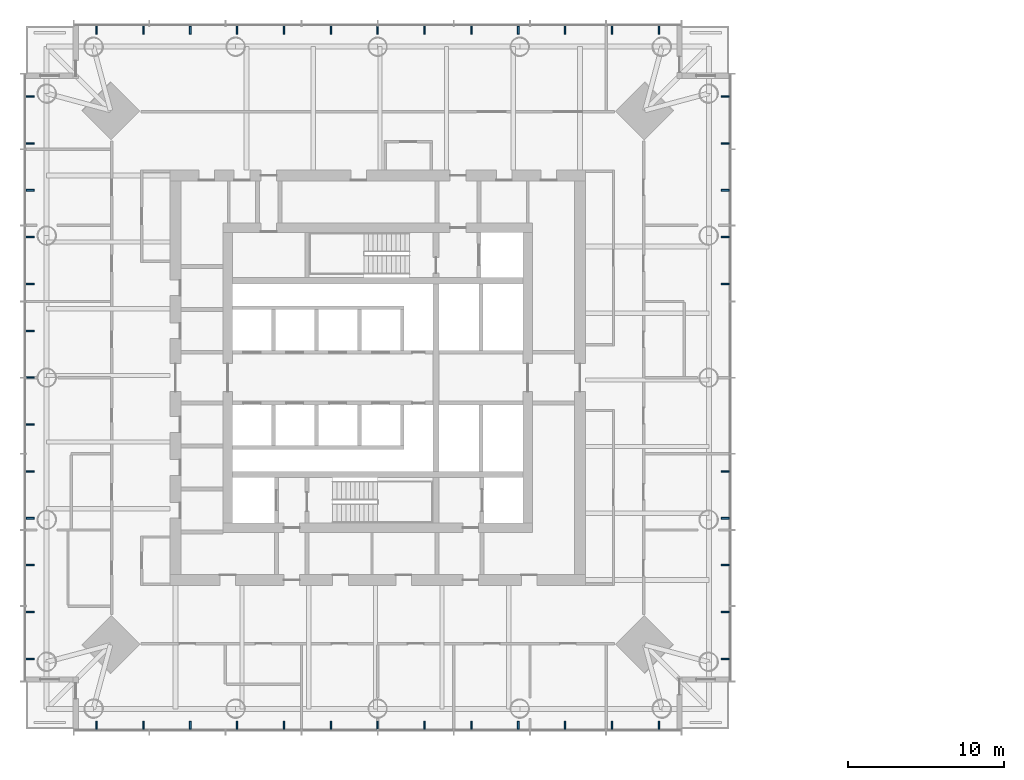
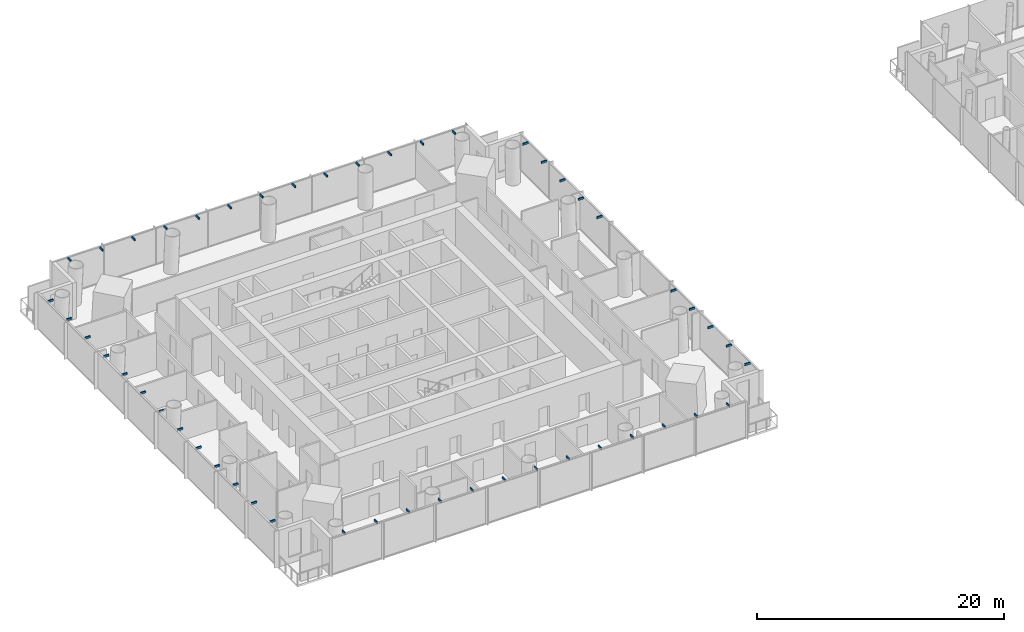
# One storey, part 18 of 20: 49 discrete accessories.
"""IFC4 building model written with IfcOpenShell, lengths in metres."""

from ifc_helpers import new_model, si_unit, direction, frame, origin, origin_2d, place, context, subcontext, project, spatial, rectangle, extrude, material, type_object, element, save


model = new_model("IFC4")

# Units and contexts
model_context = context("Model", 3, precision=1e-05, world=origin(), true_north=direction((0.0, 1.0)))
body_context = subcontext(model_context, "Body", "Model", "MODEL_VIEW")
ifc_project = project(units=[si_unit("LENGTHUNIT", "METRE"), si_unit("AREAUNIT", "SQUARE_METRE"), si_unit("VOLUMEUNIT", "CUBIC_METRE"), si_unit("PLANEANGLEUNIT", "RADIAN"), si_unit("MASSUNIT", "GRAM", prefix="KILO")], contexts=[model_context])

# Site, building, storey
site_placement = place(None, origin())
site = spatial("IfcSite", under=ifc_project, at=site_placement, CompositionType="ELEMENT")
building_placement = place(site_placement, origin())
building = spatial("IfcBuilding", under=site, at=building_placement, Name="Ostroluk Exchange", CompositionType="ELEMENT")
storey_placement = place(building_placement, frame((0.0, 0.0, 108.39990234375)))
storey = spatial("IfcBuildingStorey", under=building, at=storey_placement, Name="L27", CompositionType="ELEMENT", Elevation=108.39990234375)

# Discrete accessories
ifc_material = material(Name="Steel S355", Category="steel")
discrete_accessory_type = type_object("IfcDiscreteAccessoryType", Name="Maintenance roof bracket", PredefinedType="BRACKET", material=ifc_material)
for number, where, z_axis, x_axis, name in (
    (1, (27.0, 23.75, 3.4501953125), (0.0, 0.0, 1.0), (1.0, 0.0, 0.0), "Maintenance roof bracket L28 south 1"),
    (2, (30.0, 23.75, 3.4501953125), (0.0, 0.0, 1.0), (1.0, 0.0, 0.0), "Maintenance roof bracket L28 south 2"),
    (3, (33.0, 23.75, 3.4501953125), (0.0, 0.0, 1.0), (1.0, 0.0, 0.0), "Maintenance roof bracket L28 south 3"),
    (4, (36.0, 23.75, 3.4501953125), (0.0, 0.0, 1.0), (1.0, 0.0, 0.0), "Maintenance roof bracket L28 south 4"),
    (5, (39.0, 23.75, 3.4501953125), (0.0, 0.0, 1.0), (1.0, 0.0, 0.0), "Maintenance roof bracket L28 south 5"),
    (6, (42.0, 23.75, 3.4501953125), (0.0, 0.0, 1.0), (1.0, 0.0, 0.0), "Maintenance roof bracket L28 south 6"),
    (7, (45.0, 23.75, 3.4501953125), (0.0, 0.0, 1.0), (1.0, 0.0, 0.0), "Maintenance roof bracket L28 south 7"),
    (8, (48.0, 23.75, 3.4501953125), (0.0, 0.0, 1.0), (1.0, 0.0, 0.0), "Maintenance roof bracket L28 south 8"),
    (9, (51.0, 23.75, 3.4501953125), (0.0, 0.0, 1.0), (1.0, 0.0, 0.0), "Maintenance roof bracket L28 south 9"),
    (10, (54.0, 23.75, 3.4501953125), (0.0, 0.0, 1.0), (1.0, 0.0, 0.0), "Maintenance roof bracket L28 south 10"),
    (11, (57.0, 23.75, 3.4501953125), (0.0, 0.0, 1.0), (1.0, 0.0, 0.0), "Maintenance roof bracket L28 south 11"),
    (12, (60.0, 23.75, 3.4501953125), (0.0, 0.0, 1.0), (1.0, 0.0, 0.0), "Maintenance roof bracket L28 south 12"),
    (13, (63.0, 23.75, 3.4501953125), (0.0, 0.0, 1.0), (1.0, 0.0, 0.0), "Maintenance roof bracket L28 south 13"),
):
    element("IfcDiscreteAccessory", number, at=place(storey_placement, frame(where, z_axis=z_axis, x_axis=x_axis)), inside=storey, type_object=discrete_accessory_type, Name=name, PredefinedType="BRACKET", context=body_context, shape_type="SweptSolid", body=[
        extrude(rectangle(XDim=0.10009765625, YDim=0.5, at=origin_2d()), origin(), (0.0, 0.0, 1.0), 0.199951171875),
    ])
for number, where, z_axis, x_axis, name in (
    (14, (67.25, 28.0, 3.4501953125), (0.0, 0.0, 1.0), (1.0, 0.0, 0.0), "Maintenance roof bracket L28 east 1"),
    (15, (67.25, 31.0, 3.4501953125), (0.0, 0.0, 1.0), (1.0, 0.0, 0.0), "Maintenance roof bracket L28 east 2"),
    (16, (67.25, 34.0, 3.4501953125), (0.0, 0.0, 1.0), (1.0, 0.0, 0.0), "Maintenance roof bracket L28 east 3"),
    (17, (67.25, 37.0, 3.4501953125), (0.0, 0.0, 1.0), (1.0, 0.0, 0.0), "Maintenance roof bracket L28 east 4"),
    (18, (67.25, 40.0, 3.4501953125), (0.0, 0.0, 1.0), (1.0, 0.0, 0.0), "Maintenance roof bracket L28 east 5"),
    (19, (67.25, 52.0, 3.4501953125), (0.0, 0.0, 1.0), (1.0, 0.0, 0.0), "Maintenance roof bracket L28 east 9"),
    (20, (67.25, 55.0, 3.4501953125), (0.0, 0.0, 1.0), (1.0, 0.0, 0.0), "Maintenance roof bracket L28 east 10"),
    (21, (67.25, 58.0, 3.4501953125), (0.0, 0.0, 1.0), (1.0, 0.0, 0.0), "Maintenance roof bracket L28 east 11"),
    (22, (67.25, 61.0, 3.4501953125), (0.0, 0.0, 1.0), (1.0, 0.0, 0.0), "Maintenance roof bracket L28 east 12"),
    (23, (67.25, 64.0, 3.4501953125), (0.0, 0.0, 1.0), (1.0, 0.0, 0.0), "Maintenance roof bracket L28 east 13"),
):
    element("IfcDiscreteAccessory", number, at=place(storey_placement, frame(where, z_axis=z_axis, x_axis=x_axis)), inside=storey, type_object=discrete_accessory_type, Name=name, PredefinedType="BRACKET", context=body_context, shape_type="SweptSolid", body=[
        extrude(rectangle(XDim=0.5, YDim=0.10009765625, at=origin_2d()), origin(), (0.0, 0.0, 1.0), 0.199951171875),
    ])
for number, where, z_axis, x_axis, name in (
    (24, (27.0, 68.25, 3.4501953125), (0.0, 0.0, 1.0), (1.0, 0.0, 0.0), "Maintenance roof bracket L28 north 1"),
    (25, (30.0, 68.25, 3.4501953125), (0.0, 0.0, 1.0), (1.0, 0.0, 0.0), "Maintenance roof bracket L28 north 2"),
    (26, (33.0, 68.25, 3.4501953125), (0.0, 0.0, 1.0), (1.0, 0.0, 0.0), "Maintenance roof bracket L28 north 3"),
    (27, (36.0, 68.25, 3.4501953125), (0.0, 0.0, 1.0), (1.0, 0.0, 0.0), "Maintenance roof bracket L28 north 4"),
    (28, (39.0, 68.25, 3.4501953125), (0.0, 0.0, 1.0), (1.0, 0.0, 0.0), "Maintenance roof bracket L28 north 5"),
    (29, (42.0, 68.25, 3.4501953125), (0.0, 0.0, 1.0), (1.0, 0.0, 0.0), "Maintenance roof bracket L28 north 6"),
    (30, (45.0, 68.25, 3.4501953125), (0.0, 0.0, 1.0), (1.0, 0.0, 0.0), "Maintenance roof bracket L28 north 7"),
    (31, (48.0, 68.25, 3.4501953125), (0.0, 0.0, 1.0), (1.0, 0.0, 0.0), "Maintenance roof bracket L28 north 8"),
    (32, (51.0, 68.25, 3.4501953125), (0.0, 0.0, 1.0), (1.0, 0.0, 0.0), "Maintenance roof bracket L28 north 9"),
    (33, (54.0, 68.25, 3.4501953125), (0.0, 0.0, 1.0), (1.0, 0.0, 0.0), "Maintenance roof bracket L28 north 10"),
    (34, (57.0, 68.25, 3.4501953125), (0.0, 0.0, 1.0), (1.0, 0.0, 0.0), "Maintenance roof bracket L28 north 11"),
    (35, (60.0, 68.25, 3.4501953125), (0.0, 0.0, 1.0), (1.0, 0.0, 0.0), "Maintenance roof bracket L28 north 12"),
    (36, (63.0, 68.25, 3.4501953125), (0.0, 0.0, 1.0), (1.0, 0.0, 0.0), "Maintenance roof bracket L28 north 13"),
):
    element("IfcDiscreteAccessory", number, at=place(storey_placement, frame(where, z_axis=z_axis, x_axis=x_axis)), inside=storey, type_object=discrete_accessory_type, Name=name, PredefinedType="BRACKET", context=body_context, shape_type="SweptSolid", body=[
        extrude(rectangle(XDim=0.10009765625, YDim=0.5, at=origin_2d()), origin(), (0.0, 0.0, 1.0), 0.199951171875),
    ])
for number, where, z_axis, x_axis, name in (
    (37, (22.75, 28.0, 3.4501953125), (0.0, 0.0, 1.0), (1.0, 0.0, 0.0), "Maintenance roof bracket L28 west 1"),
    (38, (22.75, 31.0, 3.4501953125), (0.0, 0.0, 1.0), (1.0, 0.0, 0.0), "Maintenance roof bracket L28 west 2"),
    (39, (22.75, 34.0, 3.4501953125), (0.0, 0.0, 1.0), (1.0, 0.0, 0.0), "Maintenance roof bracket L28 west 3"),
    (40, (22.75, 37.0, 3.4501953125), (0.0, 0.0, 1.0), (1.0, 0.0, 0.0), "Maintenance roof bracket L28 west 4"),
    (41, (22.75, 40.0, 3.4501953125), (0.0, 0.0, 1.0), (1.0, 0.0, 0.0), "Maintenance roof bracket L28 west 5"),
    (42, (22.75, 43.0, 3.4501953125), (0.0, 0.0, 1.0), (1.0, 0.0, 0.0), "Maintenance roof bracket L28 west 6"),
    (43, (22.75, 46.0, 3.4501953125), (0.0, 0.0, 1.0), (1.0, 0.0, 0.0), "Maintenance roof bracket L28 west 7"),
    (44, (22.75, 49.0, 3.4501953125), (0.0, 0.0, 1.0), (1.0, 0.0, 0.0), "Maintenance roof bracket L28 west 8"),
    (45, (22.75, 52.0, 3.4501953125), (0.0, 0.0, 1.0), (1.0, 0.0, 0.0), "Maintenance roof bracket L28 west 9"),
    (46, (22.75, 55.0, 3.4501953125), (0.0, 0.0, 1.0), (1.0, 0.0, 0.0), "Maintenance roof bracket L28 west 10"),
    (47, (22.75, 58.0, 3.4501953125), (0.0, 0.0, 1.0), (1.0, 0.0, 0.0), "Maintenance roof bracket L28 west 11"),
    (48, (22.75, 61.0, 3.4501953125), (0.0, 0.0, 1.0), (1.0, 0.0, 0.0), "Maintenance roof bracket L28 west 12"),
    (49, (22.75, 64.0, 3.4501953125), (0.0, 0.0, 1.0), (1.0, 0.0, 0.0), "Maintenance roof bracket L28 west 13"),
):
    element("IfcDiscreteAccessory", number, at=place(storey_placement, frame(where, z_axis=z_axis, x_axis=x_axis)), inside=storey, type_object=discrete_accessory_type, Name=name, PredefinedType="BRACKET", context=body_context, shape_type="SweptSolid", body=[
        extrude(rectangle(XDim=0.5, YDim=0.10009765625, at=origin_2d()), origin(), (0.0, 0.0, 1.0), 0.199951171875),
    ])

save(model, "model.ifc")
